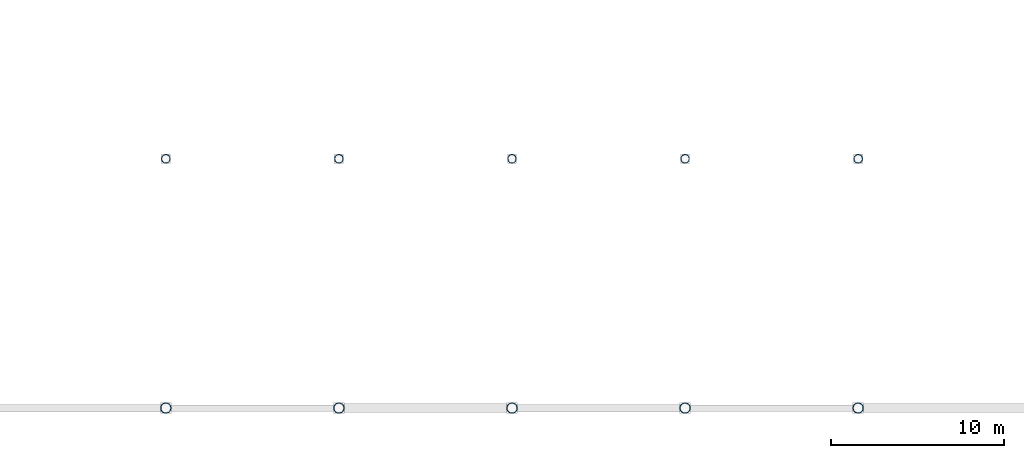
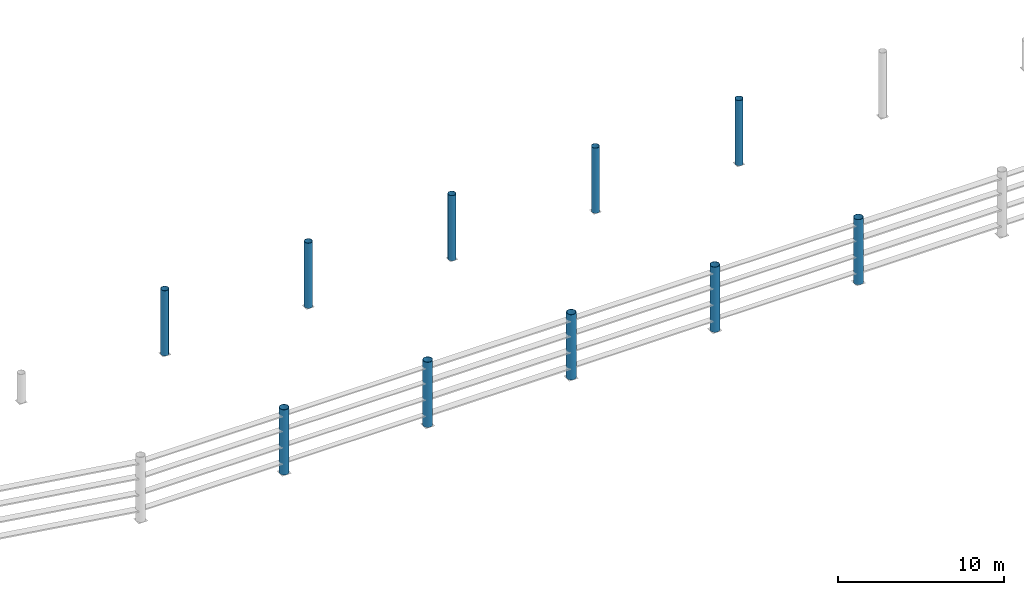
# One storey, part 5 of 29: 10 columns.
"""IFC4 building model written with IfcOpenShell, lengths in metres."""

from ifc_helpers import new_model, si_unit, direction, frame, origin, origin_2d, place, context, subcontext, project, spatial, hollow_circle, extrude, material, material_profile, profile_set, type_object, element, save


model = new_model("IFC4")

# Units and contexts
model_context = context("Model", 3, precision=1e-05, world=origin(), true_north=direction((0.0, 1.0)))
body_context = subcontext(model_context, "Body", "Model", "MODEL_VIEW")
ifc_project = project(units=[si_unit("LENGTHUNIT", "METRE"), si_unit("AREAUNIT", "SQUARE_METRE"), si_unit("VOLUMEUNIT", "CUBIC_METRE"), si_unit("PLANEANGLEUNIT", "RADIAN"), si_unit("MASSUNIT", "GRAM", prefix="KILO")], contexts=[model_context])

# Site, building, storey
site_placement = place(None, origin())
site = spatial("IfcSite", under=ifc_project, at=site_placement, CompositionType="ELEMENT")
building_placement = place(site_placement, origin())
building = spatial("IfcBuilding", under=site, at=building_placement, Name="Candeia Ridge Stadium", CompositionType="ELEMENT")
storey_placement = place(building_placement, frame((0.0, 0.0, 27.0)))
storey = spatial("IfcBuildingStorey", under=building, at=storey_placement, Name="L05", CompositionType="ELEMENT", Elevation=27.0)

# Columns
ifc_material = material(Name="Steel ASTM A572 Grade 50", Category="steel")
ifc_material_profile_1 = material_profile(ifc_material, hollow_circle(Radius=0.25390625, WallThickness=0.02197265625, at=origin_2d()), Name="CHS508x22", Category="steel")
ifc_profile_set_1 = profile_set([ifc_material_profile_1], Name="Steel ASTM A572 Grade 50")
column_type_1 = type_object("IfcColumnType", Name="Roof Inner Mast CHS508x22", PredefinedType="PILASTER", material=ifc_profile_set_1)
for number, where, z_axis, x_axis, name in (
    (1, (81.0, 33.39990234375, 0.0), (0.0, 0.0, 1.0), (1.0, 0.0, 0.0), "Roof truss steel mast column BC-MD-19 L05"),
    (2, (91.0, 33.39990234375, 0.0), (0.0, 0.0, 1.0), (1.0, 0.0, 0.0), "Roof truss steel mast column BC-MD-20 L05"),
    (3, (101.0, 33.39990234375, 0.0), (0.0, 0.0, 1.0), (1.0, 0.0, 0.0), "Roof truss steel mast column BC-MD-21 L05"),
    (4, (111.0, 33.39990234375, 0.0), (0.0, 0.0, 1.0), (1.0, 0.0, 0.0), "Roof truss steel mast column BC-MD-22 L05"),
    (5, (121.0, 33.39990234375, 0.0), (0.0, 0.0, 1.0), (1.0, 0.0, 0.0), "Roof truss steel mast column BC-MD-23 L05"),
):
    element("IfcColumn", number, at=place(storey_placement, frame(where, z_axis=z_axis, x_axis=x_axis)), inside=storey, type_object=column_type_1, Name=name, PredefinedType="PILASTER", context=body_context, shape_type="SweptSolid", body=[
        extrude(hollow_circle(Radius=0.25390625, WallThickness=0.02197265625, at=origin_2d()), origin(), (0.0, 0.0, 1.0), 4.800048828125),
    ])
ifc_material_profile_2 = material_profile(ifc_material, hollow_circle(Radius=0.304931640625, WallThickness=0.02490234375, at=origin_2d()), Name="CHS610x25", Category="steel")
ifc_profile_set_2 = profile_set([ifc_material_profile_2], Name="Steel ASTM A572 Grade 50")
column_type_2 = type_object("IfcColumnType", Name="Roof Mast Column CHS610x25", PredefinedType="PILASTER", material=ifc_profile_set_2)
for number, where, z_axis, x_axis, name in (
    (6, (81.0, 19.0, 0.0), (0.0, 0.0, 1.0), (1.0, 0.0, 0.0), "Roof truss steel mast column BC-OU-19 L05"),
    (7, (91.0, 19.0, 0.0), (0.0, 0.0, 1.0), (1.0, 0.0, 0.0), "Roof truss steel mast column BC-OU-20 L05"),
    (8, (101.0, 19.0, 0.0), (0.0, 0.0, 1.0), (1.0, 0.0, 0.0), "Roof truss steel mast column BC-OU-21 L05"),
    (9, (111.0, 19.0, 0.0), (0.0, 0.0, 1.0), (1.0, 0.0, 0.0), "Roof truss steel mast column BC-OU-22 L05"),
    (10, (121.0, 19.0, 0.0), (0.0, 0.0, 1.0), (1.0, 0.0, 0.0), "Roof truss steel mast column BC-OU-23 L05"),
):
    element("IfcColumn", number, at=place(storey_placement, frame(where, z_axis=z_axis, x_axis=x_axis)), inside=storey, type_object=column_type_2, Name=name, PredefinedType="PILASTER", context=body_context, shape_type="SweptSolid", body=[
        extrude(hollow_circle(Radius=0.304931640625, WallThickness=0.02490234375, at=origin_2d()), origin(), (0.0, 0.0, 1.0), 4.800048828125),
    ])

save(model, "model.ifc")
